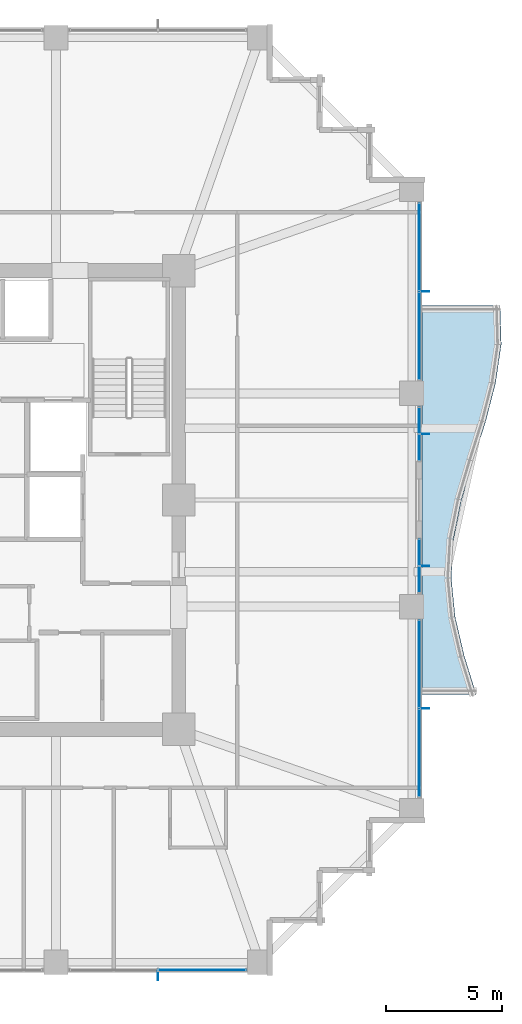
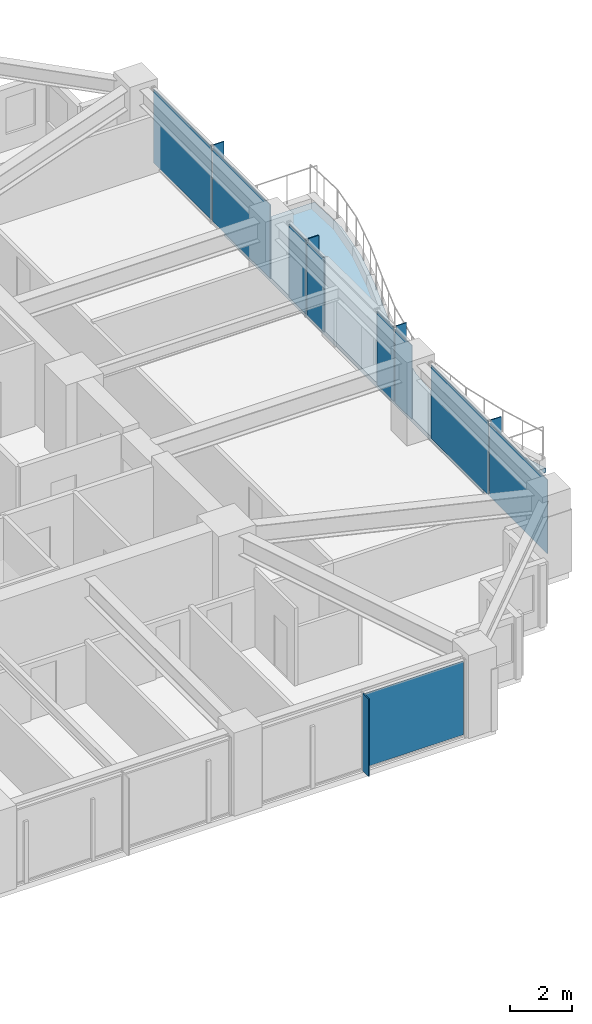
# One storey, part 28 of 36: 14 plates, 1 slab, 5 elements without a shape of their own.
"""IFC4 building model written with IfcOpenShell, lengths in metres."""

from ifc_helpers import new_model, si_unit, direction, frame, origin, origin_2d, place, context, subcontext, project, spatial, polyline, rectangle, outline, extrude, material, layer, layer_set, type_object, element, aggregate, save


model = new_model("IFC4")

# Units and contexts
model_context = context("Model", 3, precision=1e-05, world=origin(), true_north=direction((0.0, 1.0)))
body_context = subcontext(model_context, "Body", "Model", "MODEL_VIEW")
ifc_project = project(units=[si_unit("LENGTHUNIT", "METRE"), si_unit("AREAUNIT", "SQUARE_METRE"), si_unit("VOLUMEUNIT", "CUBIC_METRE"), si_unit("PLANEANGLEUNIT", "RADIAN"), si_unit("MASSUNIT", "GRAM", prefix="KILO")], contexts=[model_context])

# Site, building, storey
site_placement = place(None, origin())
site = spatial("IfcSite", under=ifc_project, at=site_placement, CompositionType="ELEMENT")
building_placement = place(site_placement, origin())
building = spatial("IfcBuilding", under=site, at=building_placement, Name="Kolvaren Belvedere", CompositionType="ELEMENT")
storey_placement = place(building_placement, frame((0.0, 0.0, 88.699951171875)))
storey = spatial("IfcBuildingStorey", under=building, at=storey_placement, Name="L25", CompositionType="ELEMENT", Elevation=88.699951171875)

# Curtain wall, plate
ifc_material_1 = material(Name="Anodised pale-metal aluminium AA 6063-T6", Category="aluminium")
curtain_wall_type = type_object("IfcCurtainWallType", Name="CW-Z2-MID", PredefinedType="NOTDEFINED", material=ifc_material_1)
curtain_wall_1_placement = place(storey_placement, origin())
curtain_wall_1 = element("IfcCurtainWall", 1, at=curtain_wall_1_placement, inside=storey, type_object=curtain_wall_type, Name="L25 Unitised Curtain Wall FCW-L25-S-B1", PredefinedType="NOTDEFINED")
ifc_material_2 = material(Name="Low-iron triple insulated glass", Category="glass")
ifc_layer_1 = layer(ifc_material_2, 0.028076171875)
ifc_layer_set_1 = layer_set([ifc_layer_1], Name="Low-iron triple insulated glass")
plate_type_1 = type_object("IfcPlateType", Name="CW-PNL-VIS28", PredefinedType="CURTAIN_PANEL", material=ifc_layer_set_1)
plate_1_placement = place(storey_placement, frame((10.9111328125, -20.280029296875, 0.080078125), z_axis=(0.0, 0.0, 1.0), x_axis=(-1.0, 0.0, 0.0)))
plate_1 = element("IfcPlate", 2, at=plate_1_placement, type_object=plate_type_1, Name="FCW-L25-S-B1 Vision Glazing Panel 1", PredefinedType="CURTAIN_PANEL", context=body_context, shape_type="SweptSolid", body=[
    extrude(rectangle(XDim=3.742431640625, YDim=0.028076171875, at=origin_2d()), origin(), (0.0, 0.0, 1.0), 2.919921875),
])
aggregate(curtain_wall_1, [plate_1])

# Curtain wall, plates
curtain_wall_2_placement = place(storey_placement, origin())
curtain_wall_2 = element("IfcCurtainWall", 3, at=curtain_wall_2_placement, inside=storey, type_object=curtain_wall_type, Name="L25 Unitised Curtain Wall FCW-L25-E1-B1", PredefinedType="NOTDEFINED")
plate_2_placement = place(storey_placement, frame((20.280029296875, 10.9111328125, 0.080078125), z_axis=(0.0, 0.0, 1.0), x_axis=(0.0, -1.0, 0.0)))
plate_2 = element("IfcPlate", 4, at=plate_2_placement, type_object=plate_type_1, Name="FCW-L25-E1-B1 Vision Glazing Panel 1", PredefinedType="CURTAIN_PANEL", context=body_context, shape_type="SweptSolid", body=[
    extrude(rectangle(XDim=3.742431640625, YDim=0.028076171875, at=origin_2d()), origin(), (0.0, 0.0, 1.0), 2.919921875),
])
plate_3_placement = place(storey_placement, frame((20.280029296875, 7.0888671875, 0.080078125), z_axis=(0.0, 0.0, 1.0), x_axis=(0.0, -1.0, 0.0)))
plate_3 = element("IfcPlate", 5, at=plate_3_placement, type_object=plate_type_1, Name="FCW-L25-E1-B1 Vision Glazing Panel 2", PredefinedType="CURTAIN_PANEL", context=body_context, shape_type="SweptSolid", body=[
    extrude(rectangle(XDim=3.742431640625, YDim=0.028076171875, at=origin_2d()), origin(), (0.0, 0.0, 1.0), 2.919921875),
])
aggregate(curtain_wall_2, [plate_2, plate_3])

curtain_wall_3_placement = place(storey_placement, origin())
curtain_wall_3 = element("IfcCurtainWall", 6, at=curtain_wall_3_placement, inside=storey, type_object=curtain_wall_type, Name="L25 Unitised Curtain Wall FCW-L25-E1-B2", PredefinedType="NOTDEFINED")
plate_4_placement = place(storey_placement, frame((20.280029296875, 3.43701171875, 0.080078125), z_axis=(0.0, 0.0, 1.0), x_axis=(0.0, -1.0, 0.0)))
plate_4 = element("IfcPlate", 7, at=plate_4_placement, type_object=plate_type_1, Name="FCW-L25-E1-B2 Vision Glazing Panel 1", PredefinedType="CURTAIN_PANEL", context=body_context, shape_type="SweptSolid", body=[
    extrude(rectangle(XDim=1.09130859375, YDim=0.028076171875, at=origin_2d()), origin(), (0.0, 0.0, 1.0), 2.919921875),
])
plate_5_placement = place(storey_placement, frame((20.280029296875, 2.265625, 0.080078125), z_axis=(0.0, 0.0, 1.0), x_axis=(0.0, -1.0, 0.0)))
plate_5 = element("IfcPlate", 8, at=plate_5_placement, type_object=plate_type_1, Name="FCW-L25-E1-B2 Vision Glazing Panel 2", PredefinedType="CURTAIN_PANEL", context=body_context, shape_type="SweptSolid", body=[
    extrude(rectangle(XDim=1.09130859375, YDim=0.028076171875, at=origin_2d()), origin(), (0.0, 0.0, 1.0), 2.919921875),
])
aggregate(curtain_wall_3, [plate_4, plate_5])

curtain_wall_4_placement = place(storey_placement, origin())
curtain_wall_4 = element("IfcCurtainWall", 9, at=curtain_wall_4_placement, inside=storey, type_object=curtain_wall_type, Name="L25 Unitised Curtain Wall FCW-L25-E2-B1", PredefinedType="NOTDEFINED")
plate_6_placement = place(storey_placement, frame((20.280029296875, -2.265625, 0.080078125), z_axis=(0.0, 0.0, 1.0), x_axis=(0.0, -1.0, 0.0)))
plate_6 = element("IfcPlate", 10, at=plate_6_placement, type_object=plate_type_1, Name="FCW-L25-E2-B1 Vision Glazing Panel 1", PredefinedType="CURTAIN_PANEL", context=body_context, shape_type="SweptSolid", body=[
    extrude(rectangle(XDim=1.09130859375, YDim=0.028076171875, at=origin_2d()), origin(), (0.0, 0.0, 1.0), 2.919921875),
])
plate_7_placement = place(storey_placement, frame((20.280029296875, -3.43701171875, 0.080078125), z_axis=(0.0, 0.0, 1.0), x_axis=(0.0, -1.0, 0.0)))
plate_7 = element("IfcPlate", 11, at=plate_7_placement, type_object=plate_type_1, Name="FCW-L25-E2-B1 Vision Glazing Panel 2", PredefinedType="CURTAIN_PANEL", context=body_context, shape_type="SweptSolid", body=[
    extrude(rectangle(XDim=1.09130859375, YDim=0.028076171875, at=origin_2d()), origin(), (0.0, 0.0, 1.0), 2.919921875),
])
aggregate(curtain_wall_4, [plate_6, plate_7])

curtain_wall_5_placement = place(storey_placement, origin())
curtain_wall_5 = element("IfcCurtainWall", 12, at=curtain_wall_5_placement, inside=storey, type_object=curtain_wall_type, Name="L25 Unitised Curtain Wall FCW-L25-E2-B2", PredefinedType="NOTDEFINED")
plate_8_placement = place(storey_placement, frame((20.280029296875, -7.0888671875, 0.080078125), z_axis=(0.0, 0.0, 1.0), x_axis=(0.0, -1.0, 0.0)))
plate_8 = element("IfcPlate", 13, at=plate_8_placement, type_object=plate_type_1, Name="FCW-L25-E2-B2 Vision Glazing Panel 1", PredefinedType="CURTAIN_PANEL", context=body_context, shape_type="SweptSolid", body=[
    extrude(rectangle(XDim=3.742431640625, YDim=0.028076171875, at=origin_2d()), origin(), (0.0, 0.0, 1.0), 2.919921875),
])
plate_9_placement = place(storey_placement, frame((20.280029296875, -10.9111328125, 0.080078125), z_axis=(0.0, 0.0, 1.0), x_axis=(0.0, -1.0, 0.0)))
plate_9 = element("IfcPlate", 14, at=plate_9_placement, type_object=plate_type_1, Name="FCW-L25-E2-B2 Vision Glazing Panel 2", PredefinedType="CURTAIN_PANEL", context=body_context, shape_type="SweptSolid", body=[
    extrude(rectangle(XDim=3.742431640625, YDim=0.028076171875, at=origin_2d()), origin(), (0.0, 0.0, 1.0), 2.919921875),
])
aggregate(curtain_wall_5, [plate_8, plate_9])

# Plates
ifc_material_3 = material(Name="Anodised pale-metal aluminium AA 6063-T6", Category="aluminium")
ifc_layer_2 = layer(ifc_material_3, 0.033935546875)
ifc_layer_set_2 = layer_set([ifc_layer_2], Name="Anodised pale-metal aluminium AA 6063-T6")
plate_type_2 = type_object("IfcPlateType", Name="FIN-VERT-380", PredefinedType="USERDEFINED", material=ifc_layer_set_2)
for number, where, z_axis, x_axis, name in (
    (15, (9.0, -20.52490234375, 0.0), (0.0, 0.0, 1.0), (0.0, 1.0, 0.0), "L25 Pale-Metal Vertical Shading Fin FCW-L25-S-B1-1"),
    (16, (20.52490234375, 9.0, 0.0), (0.0, 0.0, 1.0), (1.0, 0.0, 0.0), "L25 Pale-Metal Vertical Shading Fin FCW-L25-E1-B1-1"),
    (17, (20.52490234375, 2.851318359375, 0.0), (0.0, 0.0, 1.0), (1.0, 0.0, 0.0), "L25 Pale-Metal Vertical Shading Fin FCW-L25-E1-B2-1"),
    (18, (20.52490234375, -2.851318359375, 0.0), (0.0, 0.0, 1.0), (1.0, 0.0, 0.0), "L25 Pale-Metal Vertical Shading Fin FCW-L25-E2-B1-1"),
    (19, (20.52490234375, -9.0, 0.0), (0.0, 0.0, 1.0), (1.0, 0.0, 0.0), "L25 Pale-Metal Vertical Shading Fin FCW-L25-E2-B2-1"),
):
    element("IfcPlate", number, at=place(storey_placement, frame(where, z_axis=z_axis, x_axis=x_axis)), inside=storey, type_object=plate_type_2, Name=name, ObjectType="VERTICAL FIN", PredefinedType="USERDEFINED", context=body_context, shape_type="SweptSolid", body=[
        extrude(rectangle(XDim=0.3798828125, YDim=0.033935546875, at=origin_2d()), origin(), (0.0, 0.0, 1.0), 3.080078125),
    ])

# Slab
ifc_material_4 = material(Name="Concrete C50/60", Category="concrete")
ifc_layer_3 = layer(ifc_material_4, 0.179931640625)
ifc_layer_set_3 = layer_set([ifc_layer_3], Name="Concrete C50/60")
slab_type = type_object("IfcSlabType", Name="SL-BAL-180", PredefinedType="FLOOR", material=ifc_layer_set_3)
slab_placement = place(storey_placement, frame((0.0, 0.0, -0.219970703125)))
element("IfcSlab", 20, at=slab_placement, inside=storey, type_object=slab_type, Name="L25 Planted Balcony BAL-E", PredefinedType="FLOOR", context=body_context, shape_type="SweptSolid", body=[
    extrude(outline(polyline([(22.739990234375, -8.39990234375), (22.2197265625, -6.719970703125), (21.828125, -5.0400390625), (21.662109375, -3.360107421875), (21.7626953125, -1.679931640625), (22.105224609375, 0.0), (22.6044921875, 1.679931640625), (23.1376953125, 3.360107421875), (23.572265625, 5.0400390625), (23.820068359375, 6.719970703125), (23.76708984375, 8.39990234375), (20.39990234375, 8.39990234375), (20.39990234375, 6.719970703125), (20.39990234375, 5.0400390625), (20.39990234375, 3.360107421875), (20.39990234375, 1.679931640625), (20.39990234375, 0.0), (20.39990234375, -1.679931640625), (20.39990234375, -3.360107421875), (20.39990234375, -5.0400390625), (20.39990234375, -6.719970703125), (20.39990234375, -8.39990234375), (22.739990234375, -8.39990234375)])), origin(), (0.0, 0.0, 1.0), 0.179931640625),
])

save(model, "model.ifc")
